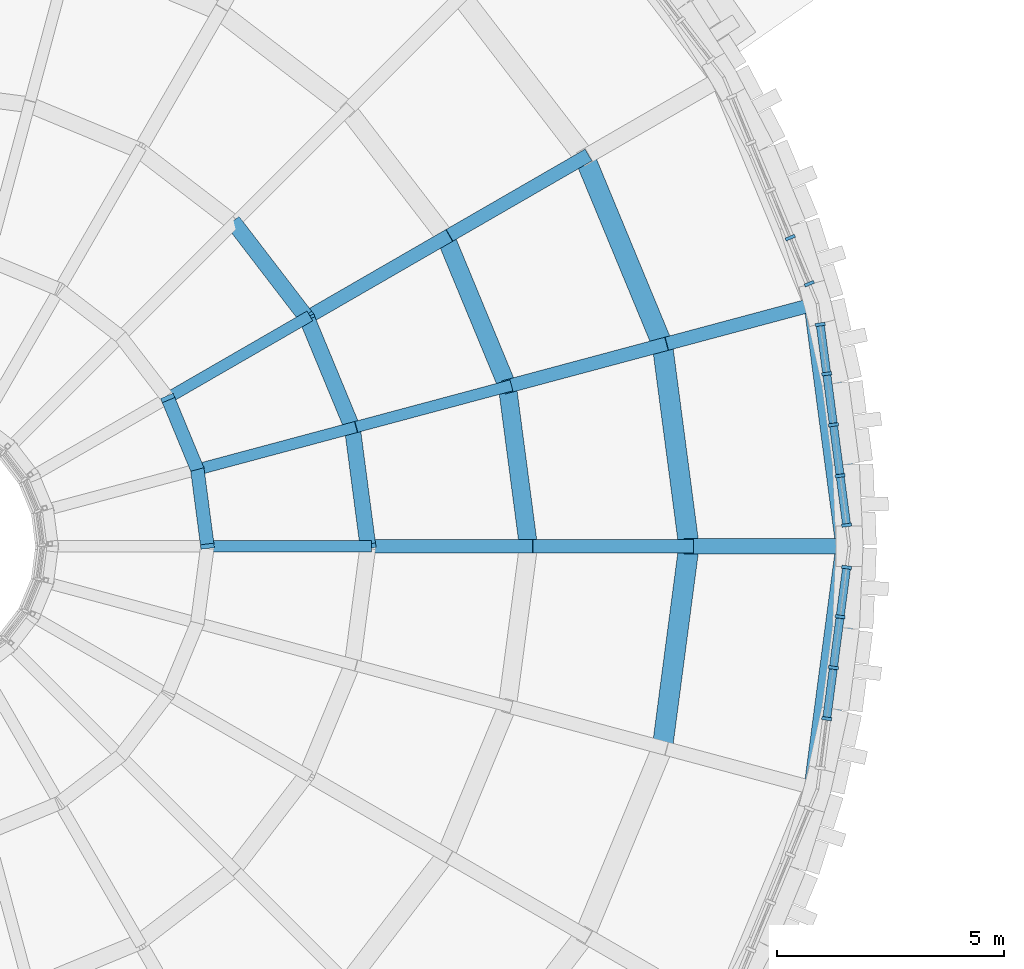
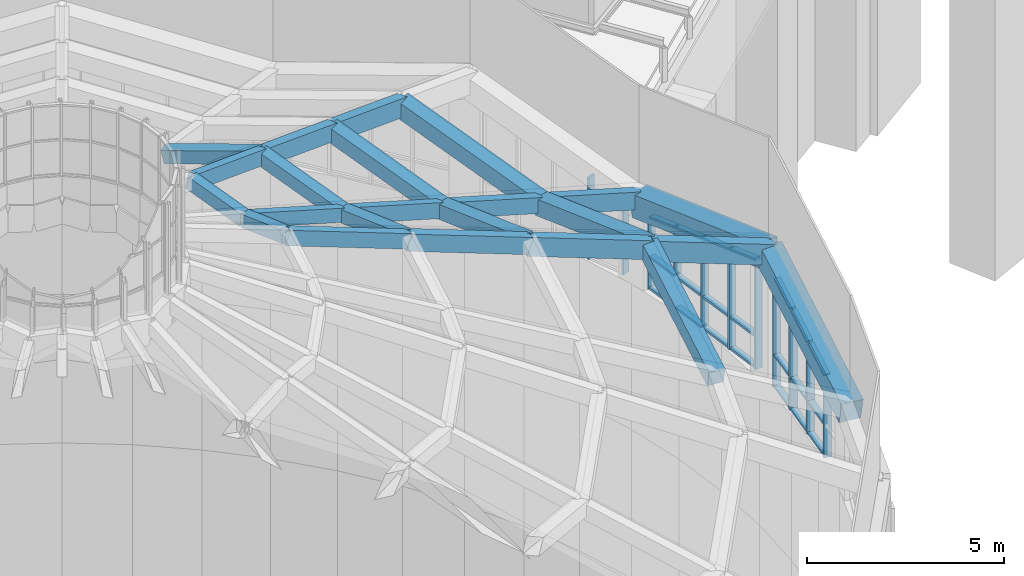
# One storey, part 14 of 82: 32 members, 23 beams, 3 elements without a shape of their own.
"""IFC4 building model written with IfcOpenShell, lengths in metres."""

from ifc_helpers import new_model, si_unit, direction, frame, origin, origin_2d, place, context, subcontext, project, spatial, rectangle, extrude, material, layer, layer_set, material_profile, profile_set, type_object, element, aggregate, save


model = new_model("IFC4")

# Units and contexts
model_context = context("Model", 3, precision=1e-05, world=origin(), true_north=direction((0.0, 1.0)))
body_context = subcontext(model_context, "Body", "Model", "MODEL_VIEW")
ifc_project = project(units=[si_unit("LENGTHUNIT", "METRE"), si_unit("AREAUNIT", "SQUARE_METRE"), si_unit("VOLUMEUNIT", "CUBIC_METRE"), si_unit("PLANEANGLEUNIT", "RADIAN"), si_unit("MASSUNIT", "GRAM", prefix="KILO")], contexts=[model_context])

# Site, building, storey
site_placement = place(None, origin())
site = spatial("IfcSite", under=ifc_project, at=site_placement, CompositionType="ELEMENT")
building_placement = place(site_placement, origin())
building = spatial("IfcBuilding", under=site, at=building_placement, Name="Volute Hill Aquarium", CompositionType="ELEMENT")
storey_placement = place(building_placement, frame((0.0, 0.0, 13.800048828125)))
storey = spatial("IfcBuildingStorey", under=building, at=storey_placement, Name="L04", CompositionType="ELEMENT", Elevation=13.800048828125)

# Curtain wall, members
ifc_material_1 = material(Name="Aluminium", Category="aluminium")
ifc_layer = layer(ifc_material_1, 0.219970703125)
ifc_layer_set = layer_set([ifc_layer], Name="Curtain wall DR clerestory module 1134")
curtain_wall_type = type_object("IfcCurtainWallType", Name="Curtain wall DR clerestory module 1134", PredefinedType="NOTDEFINED", material=ifc_layer_set)
curtain_wall_1_placement = place(storey_placement, origin())
curtain_wall_1 = element("IfcCurtainWall", 1, at=curtain_wall_1_placement, inside=storey, type_object=curtain_wall_type, Name="Curtain wall CW DR clerestory c00", PredefinedType="NOTDEFINED")
ifc_material_2 = material(Name="Aluminium", Category="aluminium")
ifc_material_profile_1 = material_profile(ifc_material_2, rectangle(XDim=0.219970703125, YDim=0.070068359375, at=origin_2d()), Name="Curtain wall mullion clerestory 70x220")
ifc_profile_set_1 = profile_set([ifc_material_profile_1], Name="Aluminium")
member_type_1 = type_object("IfcMemberType", Name="Curtain wall mullion clerestory 70x220", PredefinedType="MULLION", material=ifc_profile_set_1)
member_1_placement = place(storey_placement, frame((20.638916015625, 0.46484375, 13.699951171875), z_axis=(0.0, 0.0, 1.0), x_axis=(-0.991445853287, -0.130518657667, 0.0)))
member_1 = element("IfcMember", 2, at=member_1_placement, type_object=member_type_1, Name="Mullion DR clerestory 1", PredefinedType="MULLION", context=body_context, shape_type="SweptSolid", body=[
    extrude(rectangle(XDim=0.219970703125, YDim=0.070068359375, at=origin_2d()), origin(), (0.0, 0.0, 1.0), 3.40576171875),
])
member_2_placement = place(storey_placement, frame((20.495361328125, 1.554443359375, 13.699951171875), z_axis=(0.0, 0.0, 1.0), x_axis=(-0.991445853287, -0.130518657667, 0.0)))
member_2 = element("IfcMember", 3, at=member_2_placement, type_object=member_type_1, Name="Mullion DR clerestory 2", PredefinedType="MULLION", context=body_context, shape_type="SweptSolid", body=[
    extrude(rectangle(XDim=0.219970703125, YDim=0.070068359375, at=origin_2d()), origin(), (0.0, 0.0, 1.0), 3.12109375),
])
member_3_placement = place(storey_placement, frame((20.347412109375, 2.6787109375, 13.699951171875), z_axis=(0.0, 0.0, 1.0), x_axis=(-0.991445853287, -0.130518657667, 0.0)))
member_3 = element("IfcMember", 4, at=member_3_placement, type_object=member_type_1, Name="Mullion DR clerestory 3", PredefinedType="MULLION", context=body_context, shape_type="SweptSolid", body=[
    extrude(rectangle(XDim=0.219970703125, YDim=0.070068359375, at=origin_2d()), origin(), (0.0, 0.0, 1.0), 2.827392578125),
])
member_4_placement = place(storey_placement, frame((20.19921875, 3.80322265625, 13.699951171875), z_axis=(0.0, 0.0, 1.0), x_axis=(-0.991445853287, -0.130518657667, 0.0)))
member_4 = element("IfcMember", 5, at=member_4_placement, type_object=member_type_1, Name="Mullion DR clerestory 4", PredefinedType="MULLION", context=body_context, shape_type="SweptSolid", body=[
    extrude(rectangle(XDim=0.219970703125, YDim=0.070068359375, at=origin_2d()), origin(), (0.0, 0.0, 1.0), 2.533447265625),
])
member_5_placement = place(storey_placement, frame((20.055908203125, 4.892822265625, 13.699951171875), z_axis=(0.0, 0.0, 1.0), x_axis=(-0.991445853287, -0.130518657667, 0.0)))
member_5 = element("IfcMember", 6, at=member_5_placement, type_object=member_type_1, Name="Mullion DR clerestory 5", PredefinedType="MULLION", context=body_context, shape_type="SweptSolid", body=[
    extrude(rectangle(XDim=0.219970703125, YDim=0.070068359375, at=origin_2d()), origin(), (0.0, 0.0, 1.0), 2.248779296875),
])

curtain_wall_2_placement = place(storey_placement, origin())
curtain_wall_2 = element("IfcCurtainWall", 7, at=curtain_wall_2_placement, inside=storey, type_object=curtain_wall_type, Name="Curtain wall CW DR clerestory c01", PredefinedType="NOTDEFINED")
member_6_placement = place(storey_placement, frame((19.815185546875, 5.790771484375, 13.699951171875), z_axis=(0.0, 0.0, 1.0), x_axis=(-0.923874284426, -0.382696102118, 0.0)))
member_6 = element("IfcMember", 8, at=member_6_placement, type_object=member_type_1, Name="Mullion DR clerestory 1", PredefinedType="MULLION", context=body_context, shape_type="SweptSolid", body=[
    extrude(rectangle(XDim=0.219970703125, YDim=0.070068359375, at=origin_2d()), origin(), (0.0, 0.0, 1.0), 2.248779296875),
])
member_7_placement = place(storey_placement, frame((19.394775390625, 6.80615234375, 13.699951171875), z_axis=(0.0, 0.0, 1.0), x_axis=(-0.923874284426, -0.382696102118, 0.0)))
member_7 = element("IfcMember", 9, at=member_7_placement, type_object=member_type_1, Name="Mullion DR clerestory 2", PredefinedType="MULLION", context=body_context, shape_type="SweptSolid", body=[
    extrude(rectangle(XDim=0.219970703125, YDim=0.070068359375, at=origin_2d()), origin(), (0.0, 0.0, 1.0), 2.533447265625),
])
aggregate(curtain_wall_2, [member_6, member_7])

curtain_wall_3_placement = place(storey_placement, origin())
curtain_wall_3 = element("IfcCurtainWall", 10, at=curtain_wall_3_placement, inside=storey, type_object=curtain_wall_type, Name="Curtain wall CW DR clerestory c23", PredefinedType="NOTDEFINED")
member_8_placement = place(storey_placement, frame((20.19921875, -3.80322265625, 13.699951171875), z_axis=(0.0, 0.0, 1.0), x_axis=(-0.991445853287, 0.130518657667, 0.0)))
member_8 = element("IfcMember", 11, at=member_8_placement, type_object=member_type_1, Name="Mullion DR clerestory 2", PredefinedType="MULLION", context=body_context, shape_type="SweptSolid", body=[
    extrude(rectangle(XDim=0.219970703125, YDim=0.070068359375, at=origin_2d()), origin(), (0.0, 0.0, 1.0), 2.533447265625),
])
member_9_placement = place(storey_placement, frame((20.347412109375, -2.6787109375, 13.699951171875), z_axis=(0.0, 0.0, 1.0), x_axis=(-0.991445853287, 0.130518657667, 0.0)))
member_9 = element("IfcMember", 12, at=member_9_placement, type_object=member_type_1, Name="Mullion DR clerestory 3", PredefinedType="MULLION", context=body_context, shape_type="SweptSolid", body=[
    extrude(rectangle(XDim=0.219970703125, YDim=0.070068359375, at=origin_2d()), origin(), (0.0, 0.0, 1.0), 2.827392578125),
])
member_10_placement = place(storey_placement, frame((20.495361328125, -1.554443359375, 13.699951171875), z_axis=(0.0, 0.0, 1.0), x_axis=(-0.991445853287, 0.130518657667, 0.0)))
member_10 = element("IfcMember", 13, at=member_10_placement, type_object=member_type_1, Name="Mullion DR clerestory 4", PredefinedType="MULLION", context=body_context, shape_type="SweptSolid", body=[
    extrude(rectangle(XDim=0.219970703125, YDim=0.070068359375, at=origin_2d()), origin(), (0.0, 0.0, 1.0), 3.12109375),
])
member_11_placement = place(storey_placement, frame((20.638916015625, -0.46484375, 13.699951171875), z_axis=(0.0, 0.0, 1.0), x_axis=(-0.991445853287, 0.130518657667, 0.0)))
member_11 = element("IfcMember", 14, at=member_11_placement, type_object=member_type_1, Name="Mullion DR clerestory 5", PredefinedType="MULLION", context=body_context, shape_type="SweptSolid", body=[
    extrude(rectangle(XDim=0.219970703125, YDim=0.070068359375, at=origin_2d()), origin(), (0.0, 0.0, 1.0), 3.40576171875),
])

# Member
ifc_material_3 = material(Name="Aluminium", Category="aluminium")
ifc_material_profile_2 = material_profile(ifc_material_3, rectangle(XDim=0.179931640625, YDim=0.070068359375, at=origin_2d()), Name="Curtain wall transom clerestory 70x180")
ifc_profile_set_2 = profile_set([ifc_material_profile_2], Name="Aluminium")
member_type_2 = type_object("IfcMemberType", Name="Curtain wall transom clerestory 70x180", PredefinedType="USERDEFINED", material=ifc_profile_set_2)
member_12_placement = place(storey_placement, frame((20.63427734375, 0.49951171875, 13.73486328125), z_axis=(-0.130485197808, 0.991450257528, 0.0), x_axis=(-0.991450257528, -0.130485197808, 0.0)))
member_12 = element("IfcMember", 15, at=member_12_placement, type_object=member_type_2, Name="Transom DR clerestory 1.1", ObjectType="TRANSOM", PredefinedType="USERDEFINED", context=body_context, shape_type="SweptSolid", body=[
    extrude(rectangle(XDim=0.179931640625, YDim=0.070068359375, at=origin_2d()), origin(), (0.0, 0.0, 1.0), 1.029052734375),
])

member_13_placement = place(storey_placement, frame((20.63427734375, 0.49951171875, 14.699951171875), z_axis=(-0.130485197808, 0.991450257528, 0.0), x_axis=(-0.991450257528, -0.130485197808, 0.0)))
member_13 = element("IfcMember", 16, at=member_13_placement, type_object=member_type_2, Name="Transom DR clerestory 1.2", ObjectType="TRANSOM", PredefinedType="USERDEFINED", context=body_context, shape_type="SweptSolid", body=[
    extrude(rectangle(XDim=0.179931640625, YDim=0.070068359375, at=origin_2d()), origin(), (0.0, 0.0, 1.0), 1.029052734375),
])

member_14_placement = place(storey_placement, frame((20.63427734375, 0.49951171875, 17.061767578125), z_axis=(-0.126314997828, 0.959764319859, -0.250792686596), x_axis=(-0.991450257528, -0.130485197808, 0.0)))
member_14 = element("IfcMember", 17, at=member_14_placement, type_object=member_type_2, Name="Head member DR clerestory 1", ObjectType="TRANSOM", PredefinedType="USERDEFINED", context=body_context, shape_type="SweptSolid", body=[
    extrude(rectangle(XDim=0.179931640625, YDim=0.070068359375, at=origin_2d()), origin(), (0.0, 0.0, 1.0), 1.06298828125),
])

member_15_placement = place(storey_placement, frame((20.49072265625, 1.589111328125, 13.73486328125), z_axis=(-0.1305554124, 0.991441014026, 0.0), x_axis=(-0.991441014026, -0.1305554124, 0.0)))
member_15 = element("IfcMember", 18, at=member_15_placement, type_object=member_type_2, Name="Transom DR clerestory 2.1", ObjectType="TRANSOM", PredefinedType="USERDEFINED", context=body_context, shape_type="SweptSolid", body=[
    extrude(rectangle(XDim=0.179931640625, YDim=0.070068359375, at=origin_2d()), origin(), (0.0, 0.0, 1.0), 1.06396484375),
])

member_16_placement = place(storey_placement, frame((20.49072265625, 1.589111328125, 14.699951171875), z_axis=(-0.1305554124, 0.991441014026, 0.0), x_axis=(-0.991441014026, -0.1305554124, 0.0)))
member_16 = element("IfcMember", 19, at=member_16_placement, type_object=member_type_2, Name="Transom DR clerestory 2.2", ObjectType="TRANSOM", PredefinedType="USERDEFINED", context=body_context, shape_type="SweptSolid", body=[
    extrude(rectangle(XDim=0.179931640625, YDim=0.070068359375, at=origin_2d()), origin(), (0.0, 0.0, 1.0), 1.06396484375),
])

member_17_placement = place(storey_placement, frame((20.49072265625, 1.589111328125, 16.777099609375), z_axis=(-0.126376743366, 0.959708098571, -0.250976660816), x_axis=(-0.991441014026, -0.1305554124, 0.0)))
member_17 = element("IfcMember", 20, at=member_17_placement, type_object=member_type_2, Name="Head member DR clerestory 2", ObjectType="TRANSOM", PredefinedType="USERDEFINED", context=body_context, shape_type="SweptSolid", body=[
    extrude(rectangle(XDim=0.179931640625, YDim=0.070068359375, at=origin_2d()), origin(), (0.0, 0.0, 1.0), 1.09912109375),
])

member_18_placement = place(storey_placement, frame((20.3427734375, 2.71337890625, 13.73486328125), z_axis=(-0.1305554124, 0.991441014026, 0.0), x_axis=(-0.991441014026, -0.1305554124, 0.0)))
member_18 = element("IfcMember", 21, at=member_18_placement, type_object=member_type_2, Name="Transom DR clerestory 3.1", ObjectType="TRANSOM", PredefinedType="USERDEFINED", context=body_context, shape_type="SweptSolid", body=[
    extrude(rectangle(XDim=0.179931640625, YDim=0.070068359375, at=origin_2d()), origin(), (0.0, 0.0, 1.0), 1.06396484375),
])

member_19_placement = place(storey_placement, frame((20.3427734375, 2.71337890625, 14.699951171875), z_axis=(-0.1305554124, 0.991441014026, 0.0), x_axis=(-0.991441014026, -0.1305554124, 0.0)))
member_19 = element("IfcMember", 22, at=member_19_placement, type_object=member_type_2, Name="Transom DR clerestory 3.2", ObjectType="TRANSOM", PredefinedType="USERDEFINED", context=body_context, shape_type="SweptSolid", body=[
    extrude(rectangle(XDim=0.179931640625, YDim=0.070068359375, at=origin_2d()), origin(), (0.0, 0.0, 1.0), 1.06396484375),
])

member_20_placement = place(storey_placement, frame((20.3427734375, 2.71337890625, 16.483154296875), z_axis=(-0.126383785423, 0.959761576118, -0.250768530302), x_axis=(-0.991441014026, -0.1305554124, 0.0)))
member_20 = element("IfcMember", 23, at=member_20_placement, type_object=member_type_2, Name="Head member DR clerestory 3", ObjectType="TRANSOM", PredefinedType="USERDEFINED", context=body_context, shape_type="SweptSolid", body=[
    extrude(rectangle(XDim=0.179931640625, YDim=0.070068359375, at=origin_2d()), origin(), (0.0, 0.0, 1.0), 1.09912109375),
])

member_21_placement = place(storey_placement, frame((20.19482421875, 3.837890625, 13.73486328125), z_axis=(-0.130515897359, 0.991446216664, 0.0), x_axis=(-0.991446216664, -0.130515897359, 0.0)))
member_21 = element("IfcMember", 24, at=member_21_placement, type_object=member_type_2, Name="Transom DR clerestory 4.1", ObjectType="TRANSOM", PredefinedType="USERDEFINED", context=body_context, shape_type="SweptSolid", body=[
    extrude(rectangle(XDim=0.179931640625, YDim=0.070068359375, at=origin_2d()), origin(), (0.0, 0.0, 1.0), 1.02880859375),
])

member_22_placement = place(storey_placement, frame((20.19482421875, 3.837890625, 14.699951171875), z_axis=(-0.130515897359, 0.991446216664, 0.0), x_axis=(-0.991446216664, -0.130515897359, 0.0)))
member_22 = element("IfcMember", 25, at=member_22_placement, type_object=member_type_2, Name="Transom DR clerestory 4.2", ObjectType="TRANSOM", PredefinedType="USERDEFINED", context=body_context, shape_type="SweptSolid", body=[
    extrude(rectangle(XDim=0.179931640625, YDim=0.070068359375, at=origin_2d()), origin(), (0.0, 0.0, 1.0), 1.02880859375),
])

member_23_placement = place(storey_placement, frame((20.19482421875, 3.837890625, 16.189453125), z_axis=(-0.126342846429, 0.959746204329, -0.250847978728), x_axis=(-0.991446216664, -0.130515897359, 0.0)))
member_23 = element("IfcMember", 26, at=member_23_placement, type_object=member_type_2, Name="Head member DR clerestory 4", ObjectType="TRANSOM", PredefinedType="USERDEFINED", context=body_context, shape_type="SweptSolid", body=[
    extrude(rectangle(XDim=0.179931640625, YDim=0.070068359375, at=origin_2d()), origin(), (0.0, 0.0, 1.0), 1.062744140625),
])

aggregate(curtain_wall_1, [member_1, member_2, member_3, member_4, member_5, member_12, member_13, member_14, member_15, member_16, member_17, member_18, member_19, member_20, member_21, member_22, member_23])

member_24_placement = place(storey_placement, frame((20.203857421875, -3.768310546875, 13.73486328125), z_axis=(0.1305554124, 0.991441014026, 0.0), x_axis=(-0.991441014026, 0.1305554124, 0.0)))
member_24 = element("IfcMember", 27, at=member_24_placement, type_object=member_type_2, Name="Transom DR clerestory 2.1", ObjectType="TRANSOM", PredefinedType="USERDEFINED", context=body_context, shape_type="SweptSolid", body=[
    extrude(rectangle(XDim=0.179931640625, YDim=0.070068359375, at=origin_2d()), origin(), (0.0, 0.0, 1.0), 1.06396484375),
])

member_25_placement = place(storey_placement, frame((20.203857421875, -3.768310546875, 14.699951171875), z_axis=(0.1305554124, 0.991441014026, 0.0), x_axis=(-0.991441014026, 0.1305554124, 0.0)))
member_25 = element("IfcMember", 28, at=member_25_placement, type_object=member_type_2, Name="Transom DR clerestory 2.2", ObjectType="TRANSOM", PredefinedType="USERDEFINED", context=body_context, shape_type="SweptSolid", body=[
    extrude(rectangle(XDim=0.179931640625, YDim=0.070068359375, at=origin_2d()), origin(), (0.0, 0.0, 1.0), 1.06396484375),
])

member_26_placement = place(storey_placement, frame((20.203857421875, -3.768310546875, 16.20751953125), z_axis=(0.126383785423, 0.959761576118, 0.250768530302), x_axis=(-0.991441014026, 0.1305554124, 0.0)))
member_26 = element("IfcMember", 29, at=member_26_placement, type_object=member_type_2, Name="Head member DR clerestory 2", ObjectType="TRANSOM", PredefinedType="USERDEFINED", context=body_context, shape_type="SweptSolid", body=[
    extrude(rectangle(XDim=0.179931640625, YDim=0.070068359375, at=origin_2d()), origin(), (0.0, 0.0, 1.0), 1.09912109375),
])

member_27_placement = place(storey_placement, frame((20.351806640625, -2.64404296875, 13.73486328125), z_axis=(0.1305554124, 0.991441014026, 0.0), x_axis=(-0.991441014026, 0.1305554124, 0.0)))
member_27 = element("IfcMember", 30, at=member_27_placement, type_object=member_type_2, Name="Transom DR clerestory 3.1", ObjectType="TRANSOM", PredefinedType="USERDEFINED", context=body_context, shape_type="SweptSolid", body=[
    extrude(rectangle(XDim=0.179931640625, YDim=0.070068359375, at=origin_2d()), origin(), (0.0, 0.0, 1.0), 1.06396484375),
])

member_28_placement = place(storey_placement, frame((20.351806640625, -2.64404296875, 14.699951171875), z_axis=(0.1305554124, 0.991441014026, 0.0), x_axis=(-0.991441014026, 0.1305554124, 0.0)))
member_28 = element("IfcMember", 31, at=member_28_placement, type_object=member_type_2, Name="Transom DR clerestory 3.2", ObjectType="TRANSOM", PredefinedType="USERDEFINED", context=body_context, shape_type="SweptSolid", body=[
    extrude(rectangle(XDim=0.179931640625, YDim=0.070068359375, at=origin_2d()), origin(), (0.0, 0.0, 1.0), 1.06396484375),
])

member_29_placement = place(storey_placement, frame((20.351806640625, -2.64404296875, 16.501220703125), z_axis=(0.126376743366, 0.959708098571, 0.250976660816), x_axis=(-0.991441014026, 0.1305554124, 0.0)))
member_29 = element("IfcMember", 32, at=member_29_placement, type_object=member_type_2, Name="Head member DR clerestory 3", ObjectType="TRANSOM", PredefinedType="USERDEFINED", context=body_context, shape_type="SweptSolid", body=[
    extrude(rectangle(XDim=0.179931640625, YDim=0.070068359375, at=origin_2d()), origin(), (0.0, 0.0, 1.0), 1.09912109375),
])

member_30_placement = place(storey_placement, frame((20.5, -1.519775390625, 13.73486328125), z_axis=(0.130485197808, 0.991450257528, 0.0), x_axis=(-0.991450257528, 0.130485197808, 0.0)))
member_30 = element("IfcMember", 33, at=member_30_placement, type_object=member_type_2, Name="Transom DR clerestory 4.1", ObjectType="TRANSOM", PredefinedType="USERDEFINED", context=body_context, shape_type="SweptSolid", body=[
    extrude(rectangle(XDim=0.179931640625, YDim=0.070068359375, at=origin_2d()), origin(), (0.0, 0.0, 1.0), 1.029052734375),
])

member_31_placement = place(storey_placement, frame((20.5, -1.519775390625, 14.699951171875), z_axis=(0.130485197808, 0.991450257528, 0.0), x_axis=(-0.991450257528, 0.130485197808, 0.0)))
member_31 = element("IfcMember", 34, at=member_31_placement, type_object=member_type_2, Name="Transom DR clerestory 4.2", ObjectType="TRANSOM", PredefinedType="USERDEFINED", context=body_context, shape_type="SweptSolid", body=[
    extrude(rectangle(XDim=0.179931640625, YDim=0.070068359375, at=origin_2d()), origin(), (0.0, 0.0, 1.0), 1.029052734375),
])

member_32_placement = place(storey_placement, frame((20.5, -1.519775390625, 16.795166015625), z_axis=(0.126314997828, 0.959764319859, 0.250792686596), x_axis=(-0.991450257528, 0.130485197808, 0.0)))
member_32 = element("IfcMember", 35, at=member_32_placement, type_object=member_type_2, Name="Head member DR clerestory 4", ObjectType="TRANSOM", PredefinedType="USERDEFINED", context=body_context, shape_type="SweptSolid", body=[
    extrude(rectangle(XDim=0.179931640625, YDim=0.070068359375, at=origin_2d()), origin(), (0.0, 0.0, 1.0), 1.06298828125),
])

aggregate(curtain_wall_3, [member_8, member_9, member_10, member_11, member_24, member_25, member_26, member_27, member_28, member_29, member_30, member_31, member_32])

# Beams
ifc_material_4 = material(Name="Concrete C40/50", Category="concrete")
ifc_material_profile_3 = material_profile(ifc_material_4, rectangle(XDim=0.60009765625, YDim=0.699951171875, at=origin_2d()), Name="RC beam 600x700")
ifc_profile_set_3 = profile_set([ifc_material_profile_3], Name="Concrete C40/50")
beam_type_1 = type_object("IfcBeamType", Name="Dome shell eave ring beam 600x700", PredefinedType="BEAM", material=ifc_profile_set_3)
for number, where, z_axis, x_axis, name in (
    (36, (20.699951171875, 0.0, 17.51611328125), (-0.126350331942, 0.959763944084, -0.250776325148), (-0.991445528216, -0.130521126954, 0.0), "rb/DR/L04/eave.0"),
    (37, (19.99462890625, -5.357666015625, 16.1162109375), (0.126350331942, 0.959763944084, 0.250776325148), (-0.991445528216, 0.130521126954, 0.0), "rb/DR/L04/eave.23"),
):
    element("IfcBeam", number, at=place(storey_placement, frame(where, z_axis=z_axis, x_axis=x_axis)), inside=storey, type_object=beam_type_1, Name=name, PredefinedType="BEAM", context=body_context, shape_type="SweptSolid", body=[
        extrude(rectangle(XDim=0.60009765625, YDim=0.699951171875, at=origin_2d()), origin(), (0.0, 0.0, 1.0), 5.582275390625),
    ])
ifc_material_5 = material(Name="Concrete C40/50", Category="concrete")
ifc_material_profile_4 = material_profile(ifc_material_5, rectangle(XDim=0.25, YDim=0.449951171875, at=origin_2d()), Name="RC rib 250x450")
ifc_profile_set_4 = profile_set([ifc_material_profile_4], Name="Concrete C40/50")
beam_type_2 = type_object("IfcBeamType", Name="Dome shell ridge rib 250x450", PredefinedType="BEAM", material=ifc_profile_set_4)
for number, where, z_axis, x_axis, name in (
    (38, (10.080078125, 0.0, 21.663818359375), (-0.935061662861, 0.0, 0.354485100741), (0.0, -1.0, 0.0), "rb/DR/L04/ridge3.0"),
    (39, (8.7294921875, 5.0400390625, 21.663818359375), (-0.80977897668, -0.467539824873, 0.354491919631), (0.500011000363, -0.866019052629, 0.0), "rb/DR/L04/ridge3.2"),
):
    element("IfcBeam", number, at=place(storey_placement, frame(where, z_axis=z_axis, x_axis=x_axis)), inside=storey, type_object=beam_type_2, Name=name, PredefinedType="BEAM", context=body_context, shape_type="SweptSolid", body=[
        extrude(rectangle(XDim=0.25, YDim=0.449951171875, at=origin_2d()), origin(), (0.0, 0.0, 1.0), 3.785888671875),
    ])
ifc_material_6 = material(Name="Concrete C40/50", Category="concrete")
ifc_material_profile_5 = material_profile(ifc_material_6, rectangle(XDim=0.300048828125, YDim=0.5, at=origin_2d()), Name="RC rib 300x500")
ifc_profile_set_5 = profile_set([ifc_material_profile_5], Name="Concrete C40/50")
beam_type_3 = type_object("IfcBeamType", Name="Dome shell ridge rib 300x500", PredefinedType="BEAM", material=ifc_profile_set_5)
beam_1_placement = place(storey_placement, frame((13.6201171875, 0.0, 20.294677734375), z_axis=(-0.935040286435, 0.0, 0.354541482401), x_axis=(0.0, -1.0, 0.0)))
element("IfcBeam", 40, at=beam_1_placement, inside=storey, type_object=beam_type_3, Name="rb/DR/L04/ridge2.0", PredefinedType="BEAM", context=body_context, shape_type="SweptSolid", body=[
    extrude(rectangle(XDim=0.300048828125, YDim=0.5, at=origin_2d()), origin(), (0.0, 0.0, 1.0), 3.785888671875),
])
beam_2_placement = place(storey_placement, frame((11.79541015625, 6.81005859375, 20.294677734375), z_axis=(-0.809782663911, -0.467504723153, 0.354529788675), x_axis=(0.499981137809, -0.866036293601, 0.0)))
element("IfcBeam", 41, at=beam_2_placement, inside=storey, type_object=beam_type_3, Name="rb/DR/L04/ridge2.2", PredefinedType="BEAM", context=body_context, shape_type="SweptSolid", body=[
    extrude(rectangle(XDim=0.300048828125, YDim=0.5, at=origin_2d()), origin(), (0.0, 0.0, 1.0), 3.7861328125),
])
ifc_material_7 = material(Name="Concrete C40/50", Category="concrete")
ifc_material_profile_6 = material_profile(ifc_material_7, rectangle(XDim=0.300048828125, YDim=0.550048828125, at=origin_2d()), Name="RC rib 300x550")
ifc_profile_set_6 = profile_set([ifc_material_profile_6], Name="Concrete C40/50")
beam_type_4 = type_object("IfcBeamType", Name="Dome shell ridge rib 300x550", PredefinedType="BEAM", material=ifc_profile_set_6)
beam_3_placement = place(storey_placement, frame((17.159912109375, 0.0, 18.92578125), z_axis=(-0.935032179892, 0.0, 0.354562861235), x_axis=(0.0, -1.0, 0.0)))
element("IfcBeam", 42, at=beam_3_placement, inside=storey, type_object=beam_type_4, Name="rb/DR/L04/ridge1.0", PredefinedType="BEAM", context=body_context, shape_type="SweptSolid", body=[
    extrude(rectangle(XDim=0.300048828125, YDim=0.550048828125, at=origin_2d()), origin(), (0.0, 0.0, 1.0), 3.78564453125),
])
beam_4_placement = place(storey_placement, frame((14.861083984375, 8.580078125, 18.92578125), z_axis=(-0.809760463627, -0.467529136043, 0.354548302064), x_axis=(0.500011000363, -0.866019052629, 0.0)))
element("IfcBeam", 43, at=beam_4_placement, inside=storey, type_object=beam_type_4, Name="rb/DR/L04/ridge1.2", PredefinedType="BEAM", context=body_context, shape_type="SweptSolid", body=[
    extrude(rectangle(XDim=0.300048828125, YDim=0.550048828125, at=origin_2d()), origin(), (0.0, 0.0, 1.0), 3.785888671875),
])
ifc_material_8 = material(Name="Concrete C40/50", Category="concrete")
ifc_material_profile_7 = material_profile(ifc_material_8, rectangle(XDim=0.35009765625, YDim=0.60009765625, at=origin_2d()), Name="RC rib 350x600")
ifc_profile_set_7 = profile_set([ifc_material_profile_7], Name="Concrete C40/50")
beam_type_5 = type_object("IfcBeamType", Name="Dome shell ridge rib 350x600", PredefinedType="BEAM", material=ifc_profile_set_7)
beam_5_placement = place(storey_placement, frame((20.699951171875, 0.0, 17.556884765625), z_axis=(-0.935061662861, 0.0, 0.354485100741), x_axis=(0.0, -1.0, 0.0)))
element("IfcBeam", 44, at=beam_5_placement, inside=storey, type_object=beam_type_5, Name="rb/DR/L04/ridge0.0", PredefinedType="BEAM", context=body_context, shape_type="SweptSolid", body=[
    extrude(rectangle(XDim=0.35009765625, YDim=0.60009765625, at=origin_2d()), origin(), (0.0, 0.0, 1.0), 3.785888671875),
])
ifc_material_9 = material(Name="Concrete C40/50", Category="concrete")
ifc_material_profile_8 = material_profile(ifc_material_9, rectangle(XDim=0.300048828125, YDim=0.39990234375, at=origin_2d()), Name="RC beam 300x400")
ifc_profile_set_8 = profile_set([ifc_material_profile_8], Name="Concrete C40/50")
beam_type_6 = type_object("IfcBeamType", Name="Dome shell ring beam 300x400", PredefinedType="BEAM", material=ifc_profile_set_8)
for number, where, z_axis, x_axis, name in (
    (45, (6.5400390625, 0.0, 23.0400390625), (-0.126387633805, 0.959743116288, -0.250837231604), (-0.991440174393, -0.130561788435, 0.0), "rb/DR/L04/ring4.0"),
    (46, (6.317138671875, 1.692626953125, 22.59765625), (-0.370422435597, 0.894357009115, 0.250824160427), (-0.923891353497, -0.382654892735, 0.0), "rb/DR/L04/ring4.1"),
):
    element("IfcBeam", number, at=place(storey_placement, frame(where, z_axis=z_axis, x_axis=x_axis)), inside=storey, type_object=beam_type_6, Name=name, PredefinedType="BEAM", context=body_context, shape_type="SweptSolid", body=[
        extrude(rectangle(XDim=0.300048828125, YDim=0.39990234375, at=origin_2d()), origin(), (0.0, 0.0, 1.0), 1.763671875),
    ])
ifc_material_10 = material(Name="Concrete C40/50", Category="concrete")
ifc_material_profile_9 = material_profile(ifc_material_10, rectangle(XDim=0.35009765625, YDim=0.39990234375, at=origin_2d()), Name="RC beam 350x400")
ifc_profile_set_9 = profile_set([ifc_material_profile_9], Name="Concrete C40/50")
beam_type_7 = type_object("IfcBeamType", Name="Dome shell ring beam 350x400", PredefinedType="BEAM", material=ifc_profile_set_9)
for number, where, z_axis, x_axis, name in (
    (47, (10.080078125, 0.0, 21.69775390625), (-0.126369906297, 0.959764618825, -0.250763879446), (-0.991442923275, -0.130540912694, 0.0), "rb/DR/L04/ring3.0"),
    (48, (9.736572265625, 2.60888671875, 21.01611328125), (-0.370476790218, 0.894353424726, 0.250756654131), (-0.923870959733, -0.382704128228, 0.0), "rb/DR/L04/ring3.1"),
    (49, (8.7294921875, 5.0400390625, 21.69775390625), (-0.589286477993, 0.768021440835, -0.250767847364), (-0.793371849725, -0.608737306285, 0.0), "rb/DR/L04/ring3.2"),
):
    element("IfcBeam", number, at=place(storey_placement, frame(where, z_axis=z_axis, x_axis=x_axis)), inside=storey, type_object=beam_type_7, Name=name, PredefinedType="BEAM", context=body_context, shape_type="SweptSolid", body=[
        extrude(rectangle(XDim=0.35009765625, YDim=0.39990234375, at=origin_2d()), origin(), (0.0, 0.0, 1.0), 2.71826171875),
    ])
ifc_material_11 = material(Name="Concrete C40/50", Category="concrete")
ifc_material_profile_10 = material_profile(ifc_material_11, rectangle(XDim=0.39990234375, YDim=0.449951171875, at=origin_2d()), Name="RC beam 400x450")
ifc_profile_set_10 = profile_set([ifc_material_profile_10], Name="Concrete C40/50")
beam_type_8 = type_object("IfcBeamType", Name="Dome shell ring beam 400x450", PredefinedType="BEAM", material=ifc_profile_set_10)
for number, where, z_axis, x_axis, name in (
    (50, (13.6201171875, 0.0, 20.32958984375), (-0.126359287545, 0.959758944171, -0.250790947874), (-0.991444243022, -0.13053088898, 0.0), "rb/DR/L04/ring2.0"),
    (51, (13.156005859375, 3.525146484375, 19.408447265625), (-0.370439367644, 0.89435881781, 0.250792703054), (-0.923885443331, -0.382669162072, 0.0), "rb/DR/L04/ring2.1"),
):
    element("IfcBeam", number, at=place(storey_placement, frame(where, z_axis=z_axis, x_axis=x_axis)), inside=storey, type_object=beam_type_8, Name=name, PredefinedType="BEAM", context=body_context, shape_type="SweptSolid", body=[
        extrude(rectangle(XDim=0.39990234375, YDim=0.449951171875, at=origin_2d()), origin(), (0.0, 0.0, 1.0), 3.6728515625),
    ])
ifc_material_12 = material(Name="Concrete C40/50", Category="concrete")
ifc_material_profile_11 = material_profile(ifc_material_12, rectangle(XDim=0.449951171875, YDim=0.5, at=origin_2d()), Name="RC beam 450x500")
ifc_profile_set_11 = profile_set([ifc_material_profile_11], Name="Concrete C40/50")
beam_type_9 = type_object("IfcBeamType", Name="Dome shell ring beam 450x500", PredefinedType="BEAM", material=ifc_profile_set_11)
beam_6_placement = place(storey_placement, frame((17.159912109375, 0.0, 18.961669921875), z_axis=(-0.126353050087, 0.959755610511, -0.250806847646), x_axis=(-0.991445018197, -0.130525001021, 0.0)))
element("IfcBeam", 52, at=beam_6_placement, inside=storey, type_object=beam_type_9, Name="rb/DR/L04/ring1.0", PredefinedType="BEAM", context=body_context, shape_type="SweptSolid", body=[
    extrude(rectangle(XDim=0.449951171875, YDim=0.5, at=origin_2d()), origin(), (0.0, 0.0, 1.0), 4.627685546875),
])
beam_7_placement = place(storey_placement, frame((16.5751953125, 4.44140625, 17.801025390625), z_axis=(-0.37041738407, 0.894361984725, 0.250813878916), x_axis=(-0.923893950929, -0.382648621371, 0.0)))
element("IfcBeam", 53, at=beam_7_placement, inside=storey, type_object=beam_type_9, Name="rb/DR/L04/ring1.1", PredefinedType="BEAM", context=body_context, shape_type="SweptSolid", body=[
    extrude(rectangle(XDim=0.449951171875, YDim=0.5, at=origin_2d()), origin(), (0.0, 0.0, 1.0), 4.62744140625),
])
beam_8_placement = place(storey_placement, frame((16.5751953125, -4.44140625, 17.801025390625), z_axis=(0.126353050087, 0.959755610511, 0.250806847646), x_axis=(-0.991445018197, 0.130525001021, 0.0)))
element("IfcBeam", 54, at=beam_8_placement, inside=storey, type_object=beam_type_9, Name="rb/DR/L04/ring1.23", PredefinedType="BEAM", context=body_context, shape_type="SweptSolid", body=[
    extrude(rectangle(XDim=0.449951171875, YDim=0.5, at=origin_2d()), origin(), (0.0, 0.0, 1.0), 4.627685546875),
])
ifc_material_13 = material(Name="Concrete C40/50", Category="concrete")
ifc_material_profile_12 = material_profile(ifc_material_13, rectangle(XDim=0.25, YDim=0.39990234375, at=origin_2d()), Name="RC rib 250x400")
ifc_profile_set_12 = profile_set([ifc_material_profile_12], Name="Concrete C40/50")
beam_type_10 = type_object("IfcBeamType", Name="Dome shell valley rib 250x400", PredefinedType="BEAM", material=ifc_profile_set_12)
beam_9_placement = place(storey_placement, frame((9.736572265625, 2.60888671875, 21.003662109375), z_axis=(-0.881914511416, -0.236314805179, 0.407899629084), x_axis=(0.258825711959, -0.965924039886, 0.0)))
element("IfcBeam", 55, at=beam_9_placement, inside=storey, type_object=beam_type_10, Name="rb/DR/L04/valley3.1", PredefinedType="BEAM", context=body_context, shape_type="SweptSolid", body=[
    extrude(rectangle(XDim=0.25, YDim=0.39990234375, at=origin_2d()), origin(), (0.0, 0.0, 1.0), 3.877197265625),
])
ifc_material_14 = material(Name="Concrete C40/50", Category="concrete")
ifc_material_profile_13 = material_profile(ifc_material_14, rectangle(XDim=0.25, YDim=0.449951171875, at=origin_2d()), Name="RC rib 250x450")
ifc_profile_set_13 = profile_set([ifc_material_profile_13], Name="Concrete C40/50")
beam_type_11 = type_object("IfcBeamType", Name="Dome shell valley rib 250x450", PredefinedType="BEAM", material=ifc_profile_set_13)
beam_10_placement = place(storey_placement, frame((13.156005859375, 3.525146484375, 19.39453125), z_axis=(-0.881891859291, -0.236308735393, 0.407952117403), x_axis=(0.258825711959, -0.965924039886, 0.0)))
element("IfcBeam", 56, at=beam_10_placement, inside=storey, type_object=beam_type_11, Name="rb/DR/L04/valley2.1", PredefinedType="BEAM", context=body_context, shape_type="SweptSolid", body=[
    extrude(rectangle(XDim=0.25, YDim=0.449951171875, at=origin_2d()), origin(), (0.0, 0.0, 1.0), 3.87744140625),
])
ifc_material_15 = material(Name="Concrete C40/50", Category="concrete")
ifc_material_profile_14 = material_profile(ifc_material_15, rectangle(XDim=0.300048828125, YDim=0.449951171875, at=origin_2d()), Name="RC rib 300x450")
ifc_profile_set_14 = profile_set([ifc_material_profile_14], Name="Concrete C40/50")
beam_type_12 = type_object("IfcBeamType", Name="Dome shell valley rib 300x450", PredefinedType="BEAM", material=ifc_profile_set_14)
beam_11_placement = place(storey_placement, frame((16.5751953125, 4.44140625, 17.812744140625), z_axis=(-0.881877863035, -0.236321857906, 0.407974771482), x_axis=(0.258842954733, -0.965919419406, 0.0)))
element("IfcBeam", 57, at=beam_11_placement, inside=storey, type_object=beam_type_12, Name="rb/DR/L04/valley1.1", PredefinedType="BEAM", context=body_context, shape_type="SweptSolid", body=[
    extrude(rectangle(XDim=0.300048828125, YDim=0.449951171875, at=origin_2d()), origin(), (0.0, 0.0, 1.0), 3.877197265625),
])
ifc_material_16 = material(Name="Concrete C40/50", Category="concrete")
ifc_material_profile_15 = material_profile(ifc_material_16, rectangle(XDim=0.300048828125, YDim=0.5, at=origin_2d()), Name="RC rib 300x500")
ifc_profile_set_15 = profile_set([ifc_material_profile_15], Name="Concrete C40/50")
beam_type_13 = type_object("IfcBeamType", Name="Dome shell valley rib 300x500", PredefinedType="BEAM", material=ifc_profile_set_15)
beam_12_placement = place(storey_placement, frame((19.99462890625, 5.357666015625, 16.203857421875), z_axis=(-0.881914511416, -0.236314805179, 0.407899629084), x_axis=(0.258825711959, -0.965924039886, 0.0)))
element("IfcBeam", 58, at=beam_12_placement, inside=storey, type_object=beam_type_13, Name="rb/DR/L04/valley0.1", PredefinedType="BEAM", context=body_context, shape_type="SweptSolid", body=[
    extrude(rectangle(XDim=0.300048828125, YDim=0.5, at=origin_2d()), origin(), (0.0, 0.0, 1.0), 3.877197265625),
])

save(model, "model.ifc")
